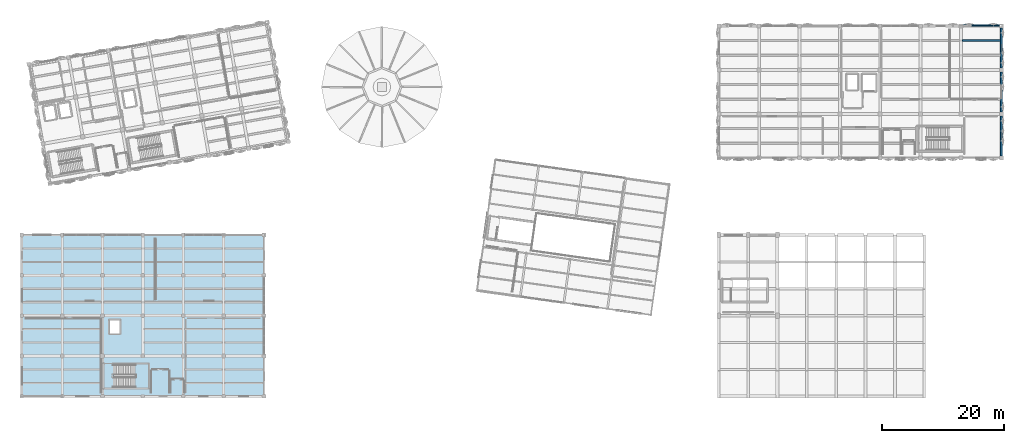
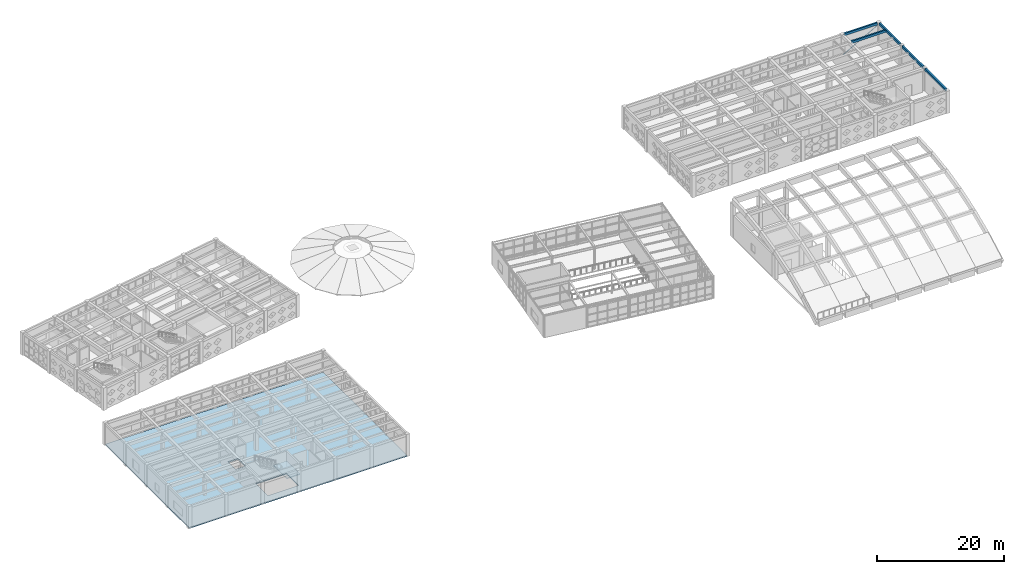
# One storey, part 41 of 67: 5 beams, 2 slabs, 1 member, 1 element without a shape of its own.
"""IFC4 building model written with IfcOpenShell, lengths in metres."""

from ifc_helpers import new_model, si_unit, direction, frame, origin, origin_2d, place, context, subcontext, project, spatial, polyline, rectangle, hollow_circle, outline, extrude, material, layer, layer_set, material_profile, profile_set, type_object, element, aggregate, save


model = new_model("IFC4")

# Units and contexts
model_context = context("Model", 3, precision=1e-05, world=origin(), true_north=direction((0.0, 1.0)))
body_context = subcontext(model_context, "Body", "Model", "MODEL_VIEW")
ifc_project = project(units=[si_unit("LENGTHUNIT", "METRE"), si_unit("AREAUNIT", "SQUARE_METRE"), si_unit("VOLUMEUNIT", "CUBIC_METRE"), si_unit("PLANEANGLEUNIT", "RADIAN"), si_unit("MASSUNIT", "GRAM", prefix="KILO")], contexts=[model_context])

# Site, building, storey
site_placement = place(None, origin())
site = spatial("IfcSite", under=ifc_project, at=site_placement, CompositionType="ELEMENT")
building_placement = place(site_placement, origin())
building = spatial("IfcBuilding", under=site, at=building_placement, Name="Kharisveld Research Institute", CompositionType="ELEMENT")
storey_placement = place(building_placement, frame((0.0, 0.0, 9.60009765625)))
storey = spatial("IfcBuildingStorey", under=building, at=storey_placement, Name="L02", CompositionType="ELEMENT", Elevation=9.60009765625)

# Member
ifc_material_1 = material(Name="Steel S355J2H", Category="steel")
ifc_material_profile_1 = material_profile(ifc_material_1, hollow_circle(Radius=0.06982421875, WallThickness=0.00634765625, at=origin_2d()))
ifc_profile_set_1 = profile_set([ifc_material_profile_1], Name="Steel S355J2H")
member_type = type_object("IfcMemberType", Name="BR_CHS140", PredefinedType="BRACE", material=ifc_profile_set_1)
member_placement = place(storey_placement, frame((154.300048828125, 60.800048828125, 0.199951171875), z_axis=(0.87447337202, 0.0, 0.485073521879), x_axis=(0.0, 1.0, 0.0)))
element("IfcMember", 1, at=member_placement, inside=storey, type_object=member_type, Name="MEM:V2:L02:BR_6_3", PredefinedType="BRACE", context=body_context, shape_type="SweptSolid", body=[
    extrude(hollow_circle(Radius=0.06982421875, WallThickness=0.00634765625, at=origin_2d()), origin(), (0.0, 0.0, 1.0), 7.318603515625),
])

# Beams
ifc_material_2 = material(Name="Concrete C40/50", Category="concrete")
ifc_material_profile_2 = material_profile(ifc_material_2, rectangle(XDim=0.300048828125, YDim=0.449951171875, at=origin_2d()))
ifc_profile_set_2 = profile_set([ifc_material_profile_2], Name="Concrete C40/50")
beam_type_1 = type_object("IfcBeamType", Name="SP_RC_300x450", PredefinedType="SPANDREL", material=ifc_profile_set_2)
beam_1_placement = place(storey_placement, frame((154.52490234375, 60.800048828125, 4.074951171875), z_axis=(1.0, 0.0, 0.0), x_axis=(0.0, 1.0, 0.0)))
element("IfcBeam", 2, at=beam_1_placement, inside=storey, type_object=beam_type_1, Name="BM:V2:L02:U6_3", PredefinedType="SPANDREL", context=body_context, shape_type="SweptSolid", body=[
    extrude(rectangle(XDim=0.300048828125, YDim=0.449951171875, at=origin_2d()), origin(), (0.0, 0.0, 1.0), 5.9501953125),
])
beam_2_placement = place(storey_placement, frame((160.800048828125, 39.52490234375, 4.074951171875), z_axis=(0.0, 1.0, 0.0), x_axis=(-1.0, 0.0, 0.0)))
element("IfcBeam", 3, at=beam_2_placement, inside=storey, type_object=beam_type_1, Name="BM:V2:L02:V7_0", PredefinedType="SPANDREL", context=body_context, shape_type="SweptSolid", body=[
    extrude(rectangle(XDim=0.300048828125, YDim=0.449951171875, at=origin_2d()), origin(), (0.0, 0.0, 1.0), 6.550048828125),
])
beam_3_placement = place(storey_placement, frame((160.800048828125, 46.72509765625, 4.074951171875), z_axis=(0.0, 1.0, 0.0), x_axis=(-1.0, 0.0, 0.0)))
element("IfcBeam", 4, at=beam_3_placement, inside=storey, type_object=beam_type_1, Name="BM:V2:L02:V7_1", PredefinedType="SPANDREL", context=body_context, shape_type="SweptSolid", body=[
    extrude(rectangle(XDim=0.300048828125, YDim=0.449951171875, at=origin_2d()), origin(), (0.0, 0.0, 1.0), 6.5498046875),
])
beam_4_placement = place(storey_placement, frame((160.800048828125, 53.925048828125, 4.074951171875), z_axis=(0.0, 1.0, 0.0), x_axis=(-1.0, 0.0, 0.0)))
element("IfcBeam", 5, at=beam_4_placement, inside=storey, type_object=beam_type_1, Name="BM:V2:L02:V7_2", PredefinedType="SPANDREL", context=body_context, shape_type="SweptSolid", body=[
    extrude(rectangle(XDim=0.300048828125, YDim=0.449951171875, at=origin_2d()), origin(), (0.0, 0.0, 1.0), 6.550048828125),
])
ifc_material_3 = material(Name="Concrete C40/50", Category="concrete")
ifc_material_profile_3 = material_profile(ifc_material_3, rectangle(XDim=0.280029296875, YDim=0.449951171875, at=origin_2d()))
ifc_profile_set_3 = profile_set([ifc_material_profile_3], Name="Concrete C40/50")
beam_type_2 = type_object("IfcBeamType", Name="WB_RC_280x450", PredefinedType="JOIST", material=ifc_profile_set_3)
beam_5_placement = place(storey_placement, frame((154.425048828125, 58.39990234375, 4.074951171875), z_axis=(1.0, 0.0, 0.0), x_axis=(0.0, 1.0, 0.0)))
element("IfcBeam", 6, at=beam_5_placement, inside=storey, type_object=beam_type_2, Name="BM:V2:L02:J_6_2_R2", PredefinedType="JOIST", context=body_context, shape_type="SweptSolid", body=[
    extrude(rectangle(XDim=0.280029296875, YDim=0.449951171875, at=origin_2d()), origin(), (0.0, 0.0, 1.0), 6.224853515625),
])

# Slab
ifc_material_4 = material(Name="Concrete C40/50", Category="concrete")
ifc_layer_1 = layer(ifc_material_4, 0.199951171875)
ifc_layer_set_1 = layer_set([ifc_layer_1], Name="SL_FLR_200")
slab_type_1 = type_object("IfcSlabType", Name="SL_FLR_200", PredefinedType="FLOOR", material=ifc_layer_set_1)
slab_1_placement = place(storey_placement, frame((0.0, 0.0, -0.2001953125)))
element("IfcSlab", 7, at=slab_1_placement, inside=storey, type_object=slab_type_1, Name="SLAB:V3:L02:MAIN", PredefinedType="FLOOR", context=body_context, shape_type="SweptSolid", body=[
    extrude(outline(polyline([(0.60009765625, 0.199951171875), (40.199951171875, 0.199951171875), (40.199951171875, 26.60009765625), (0.60009765625, 26.60009765625), (0.60009765625, 0.199951171875)]), holes=[polyline([(21.300048828125, 5.4599609375), (21.300048828125, 1.60009765625), (15.699951171875, 1.60009765625), (15.699951171875, 5.4599609375), (21.300048828125, 5.4599609375)]), polyline([(16.719970703125, 12.77001953125), (16.719970703125, 10.429931640625), (14.8798828125, 10.429931640625), (14.8798828125, 12.77001953125), (16.719970703125, 12.77001953125)])]), origin(), (0.0, 0.0, 1.0), 0.2001953125),
])

# Stair, slab
ifc_material_5 = material(Name="Concrete C40/50", Category="concrete")
stair_type = type_object("IfcStairType", Name="ST_EXIT_170", PredefinedType="TWO_STRAIGHT_RUN_STAIR", material=ifc_material_5)
stair_placement = place(storey_placement, origin())
stair = element("IfcStair", 8, at=stair_placement, inside=storey, type_object=stair_type, Name="STR:ST4:L02", PredefinedType="TWO_STRAIGHT_RUN_STAIR")
ifc_material_6 = material(Name="Concrete C40/50", Category="concrete")
ifc_layer_2 = layer(ifc_material_6, 0.179931640625)
ifc_layer_set_2 = layer_set([ifc_layer_2], Name="SL_LND_180")
slab_type_2 = type_object("IfcSlabType", Name="SL_LND_180", PredefinedType="LANDING", material=ifc_layer_set_2)
slab_2_placement = place(storey_placement, frame((0.0, 0.0, 2.06982421875)))
slab_2 = element("IfcSlab", 9, at=slab_2_placement, type_object=slab_type_2, Name="ST-04 landing 1", PredefinedType="LANDING", context=body_context, shape_type="SweptSolid", body=[
    extrude(outline(polyline([(19.044921875, 1.469970703125), (21.449951171875, 1.469970703125), (21.449951171875, 5.590087890625), (19.044921875, 5.590087890625), (19.044921875, 1.469970703125)])), origin(), (0.0, 0.0, 1.0), 0.18017578125),
])
aggregate(stair, [slab_2])

save(model, "model.ifc")
